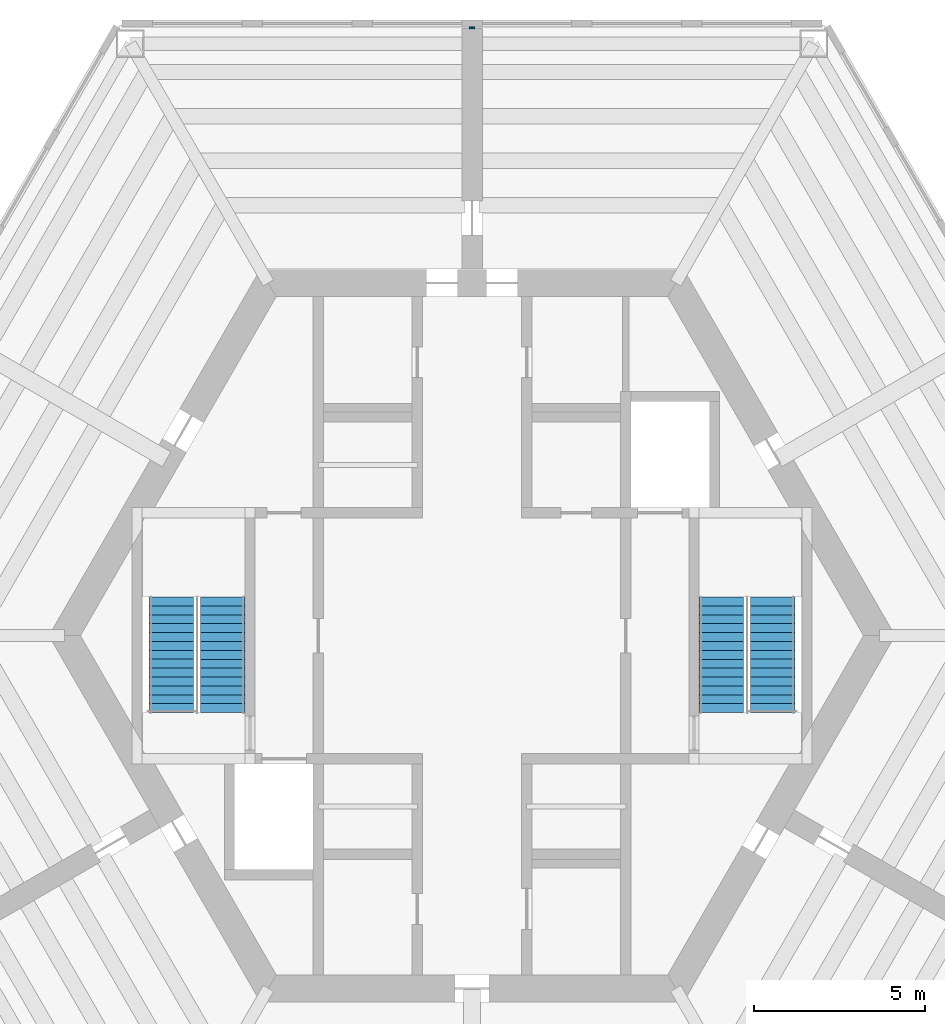
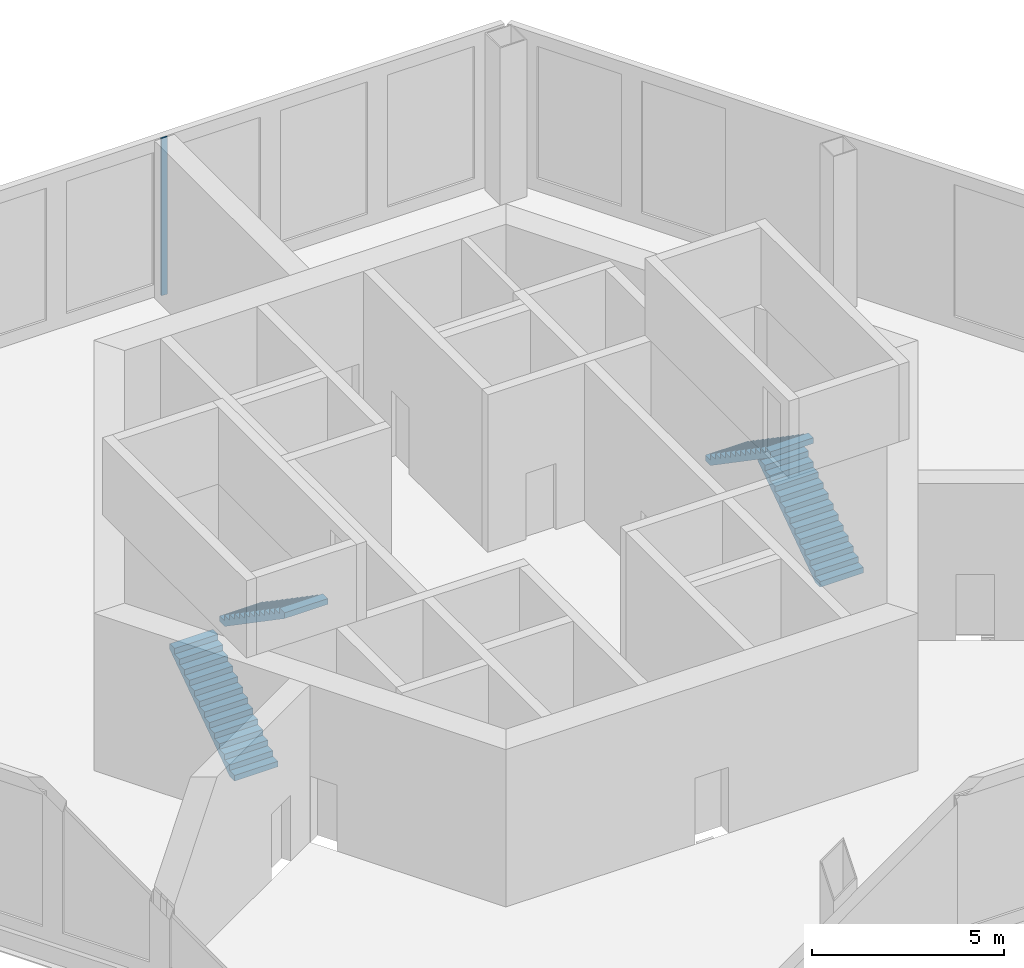
# One storey, part 7 of 8: 4 stair flights, 1 wall, 2 elements without a shape of their own.
"""IFC4 building model written with IfcOpenShell, lengths in metres."""

from ifc_helpers import new_model, si_unit, direction, frame, frame_2d, origin, place, context, subcontext, project, spatial, polyline, rectangle, outline, extrude, material, layer, layer_set, type_object, element, aggregate, save


model = new_model("IFC4")

# Units and contexts
model_context = context("Model", 3, precision=1e-05, world=origin(), true_north=direction((0.0, 1.0)))
body_context = subcontext(model_context, "Body", "Model", "MODEL_VIEW")
ifc_project = project(units=[si_unit("LENGTHUNIT", "METRE"), si_unit("AREAUNIT", "SQUARE_METRE"), si_unit("VOLUMEUNIT", "CUBIC_METRE"), si_unit("PLANEANGLEUNIT", "RADIAN"), si_unit("MASSUNIT", "GRAM", prefix="KILO")], contexts=[model_context])

# Site, building, storey
site_placement = place(None, origin())
site = spatial("IfcSite", under=ifc_project, at=site_placement, CompositionType="ELEMENT")
building_placement = place(site_placement, origin())
building = spatial("IfcBuilding", under=site, at=building_placement, Name="Kasaneha Research Tower", CompositionType="ELEMENT")
storey_placement = place(building_placement, frame((0.0, 0.0, 302.5)))
storey = spatial("IfcBuildingStorey", under=building, at=storey_placement, Name="L76", CompositionType="ELEMENT", Elevation=302.5)

# Wall
ifc_material_1 = material(Name="Gypsum board on steel studs, two layers each side", Category="steel")
ifc_layer = layer(ifc_material_1, 0.175048828125)
ifc_layer_set = layer_set([ifc_layer], Name="Tenancy fire partition 175")
wall_type = type_object("IfcWallType", Name="Tenancy fire partition 175", PredefinedType="PARTITIONING", material=ifc_layer_set)
wall_placement = place(storey_placement, frame((0.0, 17.7705078125, 0.0), z_axis=(0.0, 0.0, 1.0), x_axis=(0.0, 1.0, 0.0)))
element("IfcWall", 1, at=wall_placement, inside=storey, type_object=wall_type, Name="Spine wall closer SW4-600 L76", PredefinedType="PARTITIONING", context=body_context, shape_type="SweptSolid", body=[
    extrude(rectangle(XDim=0.050048828125, YDim=0.175048828125, at=frame_2d((0.02490234375, 0.0))), origin(), (0.0, 0.0, 1.0), 5.0),
])

# Stair, stair flights
ifc_material_2 = material(Name="Concrete Fc24", Category="concrete")
stair_type = type_object("IfcStairType", Name="Half-turn stair 28 risers", PredefinedType="HALF_TURN_STAIR", material=ifc_material_2)
stair_1_placement = place(storey_placement, origin())
stair_1 = element("IfcStair", 2, at=stair_1_placement, inside=storey, type_object=stair_type, Name="Stair 1 L76", PredefinedType="HALF_TURN_STAIR")
ifc_material_3 = material(Name="Concrete Fc24", Category="concrete")
stair_flight_type = type_object("IfcStairFlightType", Name="Stair flight 14 risers 178.6", PredefinedType="STRAIGHT", material=ifc_material_3)
stair_flight_1_placement = place(storey_placement, frame((8.800048828125, -2.25, 0.0), z_axis=(0.0, 0.0, 1.0), x_axis=(0.0, 1.0, 0.0)))
stair_flight_1 = element("IfcStairFlight", 3, at=stair_flight_1_placement, type_object=stair_flight_type, Name="ST1-28R flight 1", NumberOfRisers=14, NumberOfTreads=13, PredefinedType="STRAIGHT", RiserHeight=0.178571429, TreadLength=0.26, context=body_context, shape_type="SweptSolid", body=[
    extrude(outline(polyline([(0.0, 0.0), (0.0, 0.178466796875), (0.260009765625, 0.178466796875), (0.260009765625, 0.357177734375), (0.52001953125, 0.357177734375), (0.52001953125, 0.53564453125), (0.780029296875, 0.53564453125), (0.780029296875, 0.71435546875), (1.0400390625, 0.71435546875), (1.0400390625, 0.892822265625), (1.300048828125, 0.892822265625), (1.300048828125, 1.071533203125), (1.56005859375, 1.071533203125), (1.56005859375, 1.25), (1.820068359375, 1.25), (1.820068359375, 1.428466796875), (2.080078125, 1.428466796875), (2.080078125, 1.607177734375), (2.340087890625, 1.607177734375), (2.340087890625, 1.78564453125), (2.60009765625, 1.78564453125), (2.60009765625, 1.96435546875), (2.860107421875, 1.96435546875), (2.860107421875, 2.142822265625), (3.1201171875, 2.142822265625), (3.1201171875, 2.321533203125), (3.3798828125, 2.321533203125), (3.3798828125, 2.5), (3.3798828125, 2.1396484375), (0.264892578125, 0.0), (0.0, 0.0)])), frame((0.0, 0.64990234375, 0.0), z_axis=(0.0, -1.0, 0.0), x_axis=(1.0, 0.0, 0.0)), (0.0, 0.0, 1.0), 1.300048828125),
])
stair_flight_2_placement = place(storey_placement, frame((7.300048828125, 1.1298828125, 2.5), z_axis=(0.0, 0.0, 1.0), x_axis=(0.0, -1.0, 0.0)))
stair_flight_2 = element("IfcStairFlight", 4, at=stair_flight_2_placement, type_object=stair_flight_type, Name="ST1-28R flight 2", NumberOfRisers=14, NumberOfTreads=13, PredefinedType="STRAIGHT", RiserHeight=0.178571429, TreadLength=0.26, context=body_context, shape_type="SweptSolid", body=[
    extrude(outline(polyline([(0.0, 0.0), (0.0, 0.178466796875), (0.260009765625, 0.178466796875), (0.260009765625, 0.357177734375), (0.52001953125, 0.357177734375), (0.52001953125, 0.53564453125), (0.780029296875, 0.53564453125), (0.780029296875, 0.71435546875), (1.0400390625, 0.71435546875), (1.0400390625, 0.892822265625), (1.300048828125, 0.892822265625), (1.300048828125, 1.071533203125), (1.56005859375, 1.071533203125), (1.56005859375, 1.25), (1.820068359375, 1.25), (1.820068359375, 1.428466796875), (2.080078125, 1.428466796875), (2.080078125, 1.607177734375), (2.340087890625, 1.607177734375), (2.340087890625, 1.78564453125), (2.60009765625, 1.78564453125), (2.60009765625, 1.96435546875), (2.860107421875, 1.96435546875), (2.860107421875, 2.142822265625), (3.1201171875, 2.142822265625), (3.1201171875, 2.321533203125), (3.3798828125, 2.321533203125), (3.3798828125, 2.5), (3.3798828125, 2.1396484375), (0.264892578125, 0.0), (0.0, 0.0)])), frame((0.0, 0.64990234375, 0.0), z_axis=(0.0, -1.0, 0.0), x_axis=(1.0, 0.0, 0.0)), (0.0, 0.0, 1.0), 1.300048828125),
])
aggregate(stair_1, [stair_flight_1, stair_flight_2])

stair_2_placement = place(storey_placement, origin())
stair_2 = element("IfcStair", 5, at=stair_2_placement, inside=storey, type_object=stair_type, Name="Stair 2 L76", PredefinedType="HALF_TURN_STAIR")
stair_flight_3_placement = place(storey_placement, frame((-8.800048828125, -2.25, 0.0), z_axis=(0.0, 0.0, 1.0), x_axis=(0.0, 1.0, 0.0)))
stair_flight_3 = element("IfcStairFlight", 6, at=stair_flight_3_placement, type_object=stair_flight_type, Name="ST2-28R flight 1", NumberOfRisers=14, NumberOfTreads=13, PredefinedType="STRAIGHT", RiserHeight=0.178571429, TreadLength=0.26, context=body_context, shape_type="SweptSolid", body=[
    extrude(outline(polyline([(0.0, 0.0), (0.0, 0.178466796875), (0.260009765625, 0.178466796875), (0.260009765625, 0.357177734375), (0.52001953125, 0.357177734375), (0.52001953125, 0.53564453125), (0.780029296875, 0.53564453125), (0.780029296875, 0.71435546875), (1.0400390625, 0.71435546875), (1.0400390625, 0.892822265625), (1.300048828125, 0.892822265625), (1.300048828125, 1.071533203125), (1.56005859375, 1.071533203125), (1.56005859375, 1.25), (1.820068359375, 1.25), (1.820068359375, 1.428466796875), (2.080078125, 1.428466796875), (2.080078125, 1.607177734375), (2.340087890625, 1.607177734375), (2.340087890625, 1.78564453125), (2.60009765625, 1.78564453125), (2.60009765625, 1.96435546875), (2.860107421875, 1.96435546875), (2.860107421875, 2.142822265625), (3.1201171875, 2.142822265625), (3.1201171875, 2.321533203125), (3.3798828125, 2.321533203125), (3.3798828125, 2.5), (3.3798828125, 2.1396484375), (0.264892578125, 0.0), (0.0, 0.0)])), frame((0.0, 0.64990234375, 0.0), z_axis=(0.0, -1.0, 0.0), x_axis=(1.0, 0.0, 0.0)), (0.0, 0.0, 1.0), 1.300048828125),
])
stair_flight_4_placement = place(storey_placement, frame((-7.300048828125, 1.1298828125, 2.5), z_axis=(0.0, 0.0, 1.0), x_axis=(0.0, -1.0, 0.0)))
stair_flight_4 = element("IfcStairFlight", 7, at=stair_flight_4_placement, type_object=stair_flight_type, Name="ST2-28R flight 2", NumberOfRisers=14, NumberOfTreads=13, PredefinedType="STRAIGHT", RiserHeight=0.178571429, TreadLength=0.26, context=body_context, shape_type="SweptSolid", body=[
    extrude(outline(polyline([(0.0, 0.0), (0.0, 0.178466796875), (0.260009765625, 0.178466796875), (0.260009765625, 0.357177734375), (0.52001953125, 0.357177734375), (0.52001953125, 0.53564453125), (0.780029296875, 0.53564453125), (0.780029296875, 0.71435546875), (1.0400390625, 0.71435546875), (1.0400390625, 0.892822265625), (1.300048828125, 0.892822265625), (1.300048828125, 1.071533203125), (1.56005859375, 1.071533203125), (1.56005859375, 1.25), (1.820068359375, 1.25), (1.820068359375, 1.428466796875), (2.080078125, 1.428466796875), (2.080078125, 1.607177734375), (2.340087890625, 1.607177734375), (2.340087890625, 1.78564453125), (2.60009765625, 1.78564453125), (2.60009765625, 1.96435546875), (2.860107421875, 1.96435546875), (2.860107421875, 2.142822265625), (3.1201171875, 2.142822265625), (3.1201171875, 2.321533203125), (3.3798828125, 2.321533203125), (3.3798828125, 2.5), (3.3798828125, 2.1396484375), (0.264892578125, 0.0), (0.0, 0.0)])), frame((0.0, 0.64990234375, 0.0), z_axis=(0.0, -1.0, 0.0), x_axis=(1.0, 0.0, 0.0)), (0.0, 0.0, 1.0), 1.300048828125),
])
aggregate(stair_2, [stair_flight_3, stair_flight_4])

save(model, "model.ifc")
